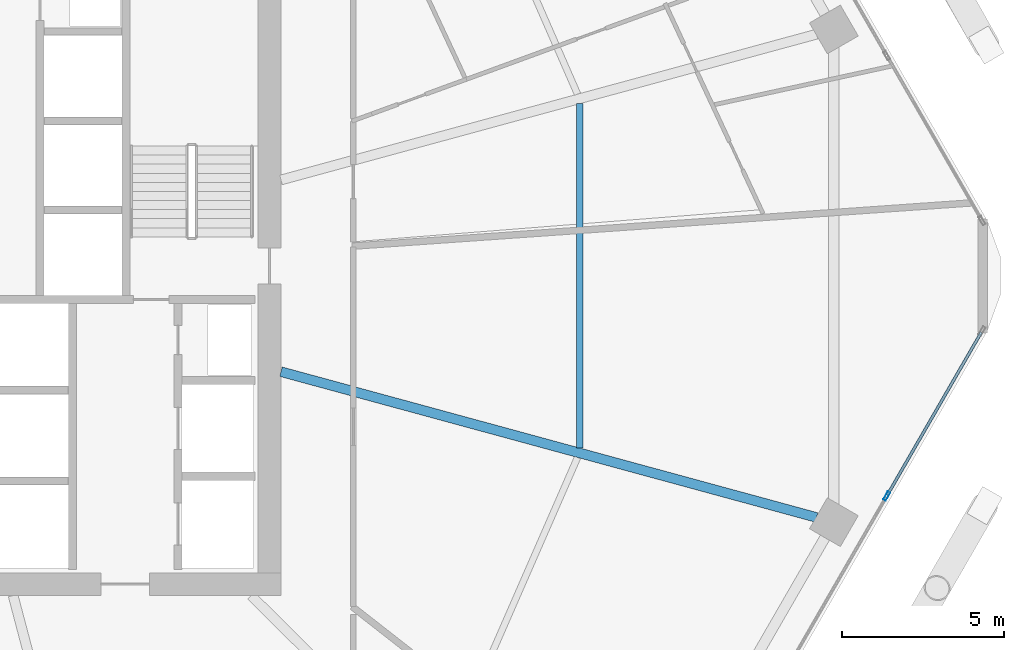
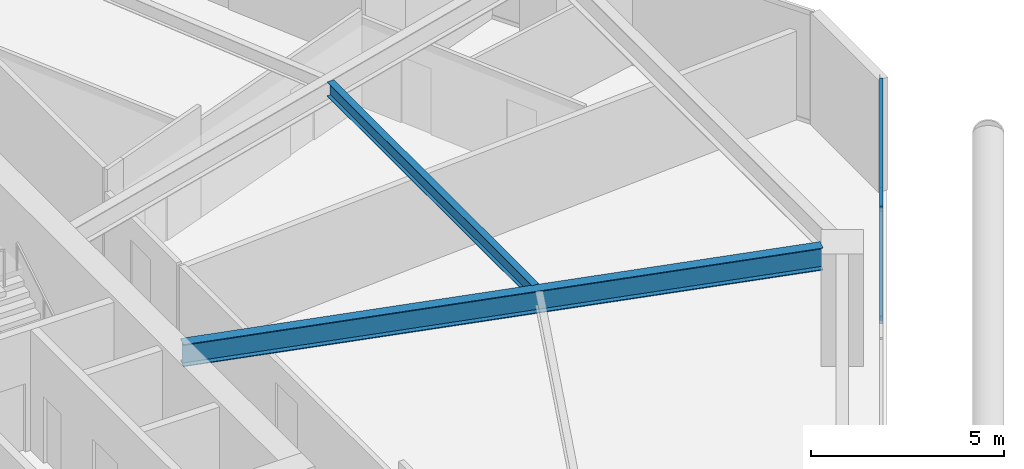
# One storey, part 13 of 35: 3 members, 2 beams, 1 element without a shape of its own.
"""IFC4 building model written with IfcOpenShell, lengths in metres."""

from ifc_helpers import new_model, si_unit, direction, frame, origin, origin_2d, place, context, subcontext, project, spatial, hollow_rectangle, i_section, extrude, material, material_profile, profile_set, type_object, element, aggregate, save


model = new_model("IFC4")

# Units and contexts
model_context = context("Model", 3, precision=1e-05, world=origin(), true_north=direction((0.0, 1.0)))
body_context = subcontext(model_context, "Body", "Model", "MODEL_VIEW")
ifc_project = project(units=[si_unit("LENGTHUNIT", "METRE"), si_unit("AREAUNIT", "SQUARE_METRE"), si_unit("VOLUMEUNIT", "CUBIC_METRE"), si_unit("PLANEANGLEUNIT", "RADIAN"), si_unit("MASSUNIT", "GRAM", prefix="KILO")], contexts=[model_context])

# Site, building, storey
site_placement = place(None, origin())
site = spatial("IfcSite", under=ifc_project, at=site_placement, CompositionType="ELEMENT")
building_placement = place(site_placement, origin())
building = spatial("IfcBuilding", under=site, at=building_placement, Name="Zuhravey Tower", CompositionType="ELEMENT")
storey_placement = place(building_placement, frame((0.0, 0.0, 92.39990234375)))
storey = spatial("IfcBuildingStorey", under=building, at=storey_placement, Name="L22", CompositionType="ELEMENT", Elevation=92.39990234375)

# Curtain wall, members
ifc_material_1 = material(Name="Thermally broken anodised aluminium", Category="aluminium")
curtain_wall_type = type_object("IfcCurtainWallType", Name="Zone 1-2 Residential Curtain Wall CW3", PredefinedType="NOTDEFINED", material=ifc_material_1)
curtain_wall_placement = place(storey_placement, origin())
curtain_wall = element("IfcCurtainWall", 1, at=curtain_wall_placement, inside=storey, type_object=curtain_wall_type, Name="L22 CW3 CW-L22-F6-1", PredefinedType="NOTDEFINED")
ifc_material_2 = material(Name="Anodised aluminium", Category="aluminium")
ifc_material_profile_1 = material_profile(ifc_material_2, hollow_rectangle(XDim=0.090087890625, YDim=0.284912109375, WallThickness=0.0048828125, at=origin_2d()), Name="ALU-RHS-90x285x5")
ifc_profile_set_1 = profile_set([ifc_material_profile_1], Name="Anodised aluminium")
member_type_1 = type_object("IfcMemberType", Name="Curtain-Wall Mullion 90x180", PredefinedType="MULLION", material=ifc_profile_set_1)
member_1_placement = place(storey_placement, frame((65.5185546875, 25.210693359375, 0.0), z_axis=(0.0, 0.0, 1.0), x_axis=(0.86602552265, -0.499999794119, 0.0)))
member_1 = element("IfcMember", 2, at=member_1_placement, type_object=member_type_1, Name="CW3 mullion 2", PredefinedType="MULLION", context=body_context, shape_type="SweptSolid", body=[
    extrude(hollow_rectangle(XDim=0.090087890625, YDim=0.284912109375, WallThickness=0.0048828125, at=origin_2d()), origin(), (0.0, 0.0, 1.0), 3.550048828125),
])
ifc_material_profile_2 = material_profile(ifc_material_2, hollow_rectangle(XDim=0.090087890625, YDim=0.14990234375, WallThickness=0.0048828125, at=origin_2d()), Name="ALU-RHS-90x150x5")
ifc_profile_set_2 = profile_set([ifc_material_profile_2], Name="Anodised aluminium")
member_type_2 = type_object("IfcMemberType", Name="Curtain-Wall Transom 90x150", PredefinedType="USERDEFINED", material=ifc_profile_set_2)
member_2_placement = place(storey_placement, frame((68.43359375, 30.259521484375, 0.045166015625), z_axis=(-0.500024450573, -0.866011286779, 0.0), x_axis=(0.866011286779, -0.500024450573, 0.0)))
member_2 = element("IfcMember", 3, at=member_2_placement, type_object=member_type_2, Name="CW3 transom 1.1", ObjectType="TRANSOM", PredefinedType="USERDEFINED", context=body_context, shape_type="SweptSolid", body=[
    extrude(hollow_rectangle(XDim=0.090087890625, YDim=0.14990234375, WallThickness=0.0048828125, at=origin_2d()), origin(), (0.0, 0.0, 1.0), 5.784912109375),
])
member_3_placement = place(storey_placement, frame((68.43359375, 30.259521484375, 3.505126953125), z_axis=(-0.500024450573, -0.866011286779, 0.0), x_axis=(0.866011286779, -0.500024450573, 0.0)))
member_3 = element("IfcMember", 4, at=member_3_placement, type_object=member_type_2, Name="CW3 transom 1.2", ObjectType="TRANSOM", PredefinedType="USERDEFINED", context=body_context, shape_type="SweptSolid", body=[
    extrude(hollow_rectangle(XDim=0.090087890625, YDim=0.14990234375, WallThickness=0.0048828125, at=origin_2d()), origin(), (0.0, 0.0, 1.0), 5.784912109375),
])
aggregate(curtain_wall, [member_1, member_2, member_3])

# Beams
ifc_material_3 = material(Name="Steel SM355", Category="steel")
ifc_material_profile_3 = material_profile(ifc_material_3, i_section(OverallWidth=0.300048828125, OverallDepth=0.699951171875, WebThickness=0.012939453125, FlangeThickness=0.02392578125, at=origin_2d()), Name="H-700x300x13x24")
ifc_profile_set_3 = profile_set([ifc_material_profile_3], Name="Steel SM355")
beam_type_1 = type_object("IfcBeamType", Name="Radial Primary Girder H700x300", PredefinedType="BEAM", material=ifc_profile_set_3)
beam_1_placement = place(storey_placement, frame((46.85302734375, 29.045654296875, 3.2001953125), z_axis=(0.964893166225, -0.262642680791, 0.0), x_axis=(0.262642680791, 0.964893166225, 0.0)))
element("IfcBeam", 5, at=beam_1_placement, inside=storey, type_object=beam_type_1, Name="L22 RG1 BM-L22-RAD-12", PredefinedType="BEAM", context=body_context, shape_type="SweptSolid", body=[
    extrude(i_section(OverallWidth=0.300048828125, OverallDepth=0.699951171875, WebThickness=0.012939453125, FlangeThickness=0.02392578125, at=origin_2d()), origin(), (0.0, 0.0, 1.0), 17.102783203125),
])
ifc_material_profile_4 = material_profile(ifc_material_3, i_section(OverallWidth=0.199951171875, OverallDepth=0.449951171875, WebThickness=0.009033203125, FlangeThickness=0.013916015625, at=origin_2d()), Name="H-450x200x9x14")
ifc_profile_set_4 = profile_set([ifc_material_profile_4], Name="Steel SM355")
beam_type_2 = type_object("IfcBeamType", Name="Secondary Floor Joist H450x200", PredefinedType="JOIST", material=ifc_profile_set_4)
beam_2_placement = place(storey_placement, frame((56.052490234375, 26.695556640625, 3.3251953125), z_axis=(0.0, 1.0, 0.0), x_axis=(-1.0, 0.0, 0.0)))
element("IfcBeam", 6, at=beam_2_placement, inside=storey, type_object=beam_type_2, Name="L22 SJ1 BM-L22-SJ-12-1", PredefinedType="JOIST", context=body_context, shape_type="SweptSolid", body=[
    extrude(i_section(OverallWidth=0.199951171875, OverallDepth=0.449951171875, WebThickness=0.009033203125, FlangeThickness=0.013916015625, at=origin_2d()), origin(), (0.0, 0.0, 1.0), 10.60888671875),
])

save(model, "model.ifc")
